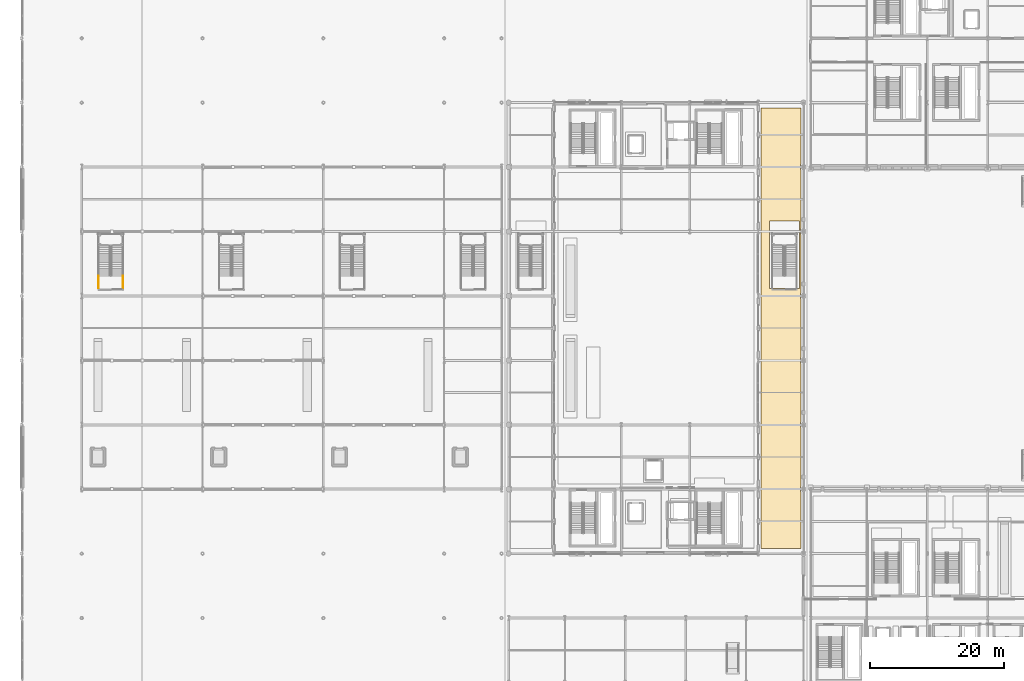
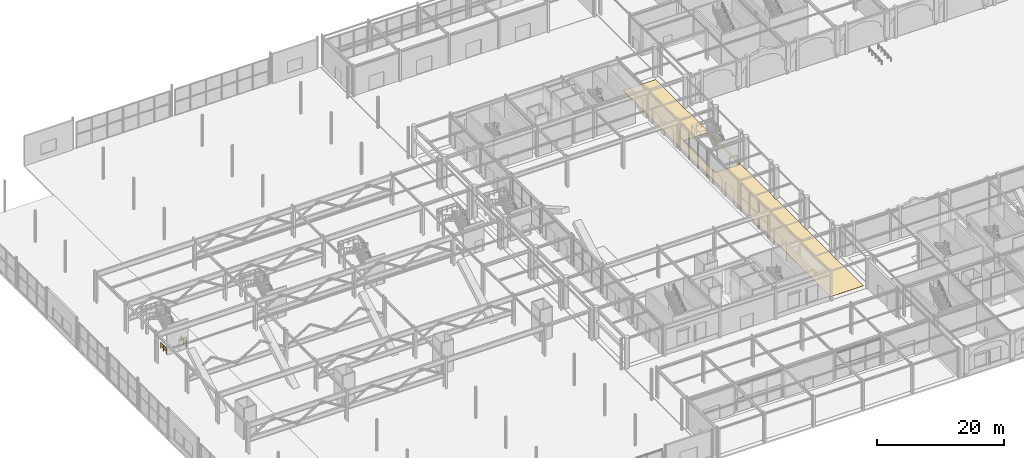
# One storey, part 86 of 113: 2 railings, 1 covering.
"""IFC4 building model written with IfcOpenShell, lengths in metres."""

from ifc_helpers import new_model, si_unit, direction, frame, origin, origin_2d, place, context, subcontext, project, spatial, polyline, rectangle, outline, extrude, material, layer, layer_set, type_object, element, save


model = new_model("IFC4")

# Units and contexts
model_context = context("Model", 3, precision=1e-05, world=origin(), true_north=direction((0.0, 1.0)))
body_context = subcontext(model_context, "Body", "Model", "MODEL_VIEW")
ifc_project = project(units=[si_unit("LENGTHUNIT", "METRE"), si_unit("AREAUNIT", "SQUARE_METRE"), si_unit("VOLUMEUNIT", "CUBIC_METRE"), si_unit("PLANEANGLEUNIT", "RADIAN"), si_unit("MASSUNIT", "GRAM", prefix="KILO")], contexts=[model_context])

# Site, building, storey
site_placement = place(None, origin())
site = spatial("IfcSite", under=ifc_project, at=site_placement, CompositionType="ELEMENT")
building_placement = place(site_placement, origin())
building = spatial("IfcBuilding", under=site, at=building_placement, Name="Myrtia Square Station", CompositionType="ELEMENT")
storey_placement = place(building_placement, origin())
storey = spatial("IfcBuildingStorey", under=building, at=storey_placement, Name="L00", CompositionType="ELEMENT", Elevation=0.0)

# Covering
ifc_material_1 = material(Name="Terrazzo stone tile", Category="masonry")
ifc_layer = layer(ifc_material_1, 0.02490234375, Name="Terrazzo stone tile")
ifc_layer_set = layer_set([ifc_layer], Name="Terrazzo stone tile")
covering_type = type_object("IfcCoveringType", Name="COV-FLR-TERRAZZO", PredefinedType="FLOORING", material=ifc_layer_set)
covering_placement = place(storey_placement, origin())
element("IfcCovering", 1, at=covering_placement, inside=storey, type_object=covering_type, Name="Terrazzo concourse flooring L00-03", PredefinedType="FLOORING", context=body_context, shape_type="SweptSolid", body=[
    extrude(outline(polyline([(110.199951171875, 95.199951171875), (116.199951171875, 95.199951171875), (116.199951171875, 86.830078125), (116.1201171875, 86.830078125), (116.1201171875, 85.969970703125), (116.199951171875, 85.969970703125), (116.199951171875, 77.22998046875), (116.1201171875, 77.22998046875), (116.1201171875, 76.3701171875), (116.199951171875, 76.3701171875), (116.199951171875, 67.6298828125), (116.1201171875, 67.6298828125), (116.1201171875, 66.77001953125), (116.199951171875, 66.77001953125), (116.199951171875, 58.030029296875), (116.1201171875, 58.030029296875), (116.1201171875, 57.169921875), (116.199951171875, 57.169921875), (116.199951171875, 48.429931640625), (116.1201171875, 48.429931640625), (116.1201171875, 47.570068359375), (116.199951171875, 47.570068359375), (116.199951171875, 38.830078125), (116.1201171875, 38.830078125), (116.1201171875, 37.969970703125), (116.199951171875, 37.969970703125), (116.199951171875, 29.60009765625), (110.199951171875, 29.60009765625), (110.199951171875, 95.199951171875)]), holes=[polyline([(115.949951171875, 78.39990234375), (111.489990234375, 78.39990234375), (111.489990234375, 68.330078125), (115.949951171875, 68.330078125), (115.949951171875, 78.39990234375)])]), origin(), (0.0, 0.0, 1.0), 0.02490234375),
])

# Railings
ifc_material_2 = material(Name="Wrought iron", Category="steel")
railing_type = type_object("IfcRailingType", Name="RL-INT-GUARD-1100", PredefinedType="BALUSTRADE", material=ifc_material_2)
for number, where, name in (
    (2, (15.14990234375, 68.39990234375, 0.0), "L00 ST65 stair guard 8"),
    (3, (11.489990234375, 68.39990234375, 0.0), "L00 ST65 stair guard 9"),
):
    element("IfcRailing", number, at=place(storey_placement, frame(where)), inside=storey, type_object=railing_type, Name=name, PredefinedType="BALUSTRADE", context=body_context, shape_type="SweptSolid", body=[
        extrude(rectangle(XDim=0.048095703125, YDim=0.048095703125, at=origin_2d()), frame((0.0, 0.03466796875, 1.09619140625), z_axis=(0.0, 1.0, 0.0), x_axis=(-1.0, 0.0, 0.0)), (0.0, 0.0, 1.0), 0.830810546875),
        extrude(rectangle(XDim=0.048095703125, YDim=0.048095703125, at=origin_2d()), frame((0.0, 0.03466796875, 0.58251953125), z_axis=(0.0, 1.0, 0.0), x_axis=(-1.0, 0.0, 0.0)), (0.0, 0.0, 1.0), 0.830810546875),
        extrude(rectangle(XDim=0.048095703125, YDim=0.048095703125, at=origin_2d()), frame((0.0, 0.9345703125, 1.09619140625), z_axis=(0.0, 1.0, 0.0), x_axis=(-1.0, 0.0, 0.0)), (0.0, 0.0, 1.0), 0.830810546875),
        extrude(rectangle(XDim=0.048095703125, YDim=0.048095703125, at=origin_2d()), frame((0.0, 0.9345703125, 0.58251953125), z_axis=(0.0, 1.0, 0.0), x_axis=(-1.0, 0.0, 0.0)), (0.0, 0.0, 1.0), 0.830810546875),
        extrude(rectangle(XDim=0.0439453125, YDim=0.0439453125, at=origin_2d()), origin(), (0.0, 0.0, 1.0), 1.1201171875),
        extrude(rectangle(XDim=0.0439453125, YDim=0.0439453125, at=origin_2d()), frame((0.0, 0.89990234375, 0.0)), (0.0, 0.0, 1.0), 1.1201171875),
        extrude(rectangle(XDim=0.0439453125, YDim=0.0439453125, at=origin_2d()), frame((0.0, 1.800048828125, 0.0)), (0.0, 0.0, 1.0), 1.1201171875),
    ])

save(model, "model.ifc")
